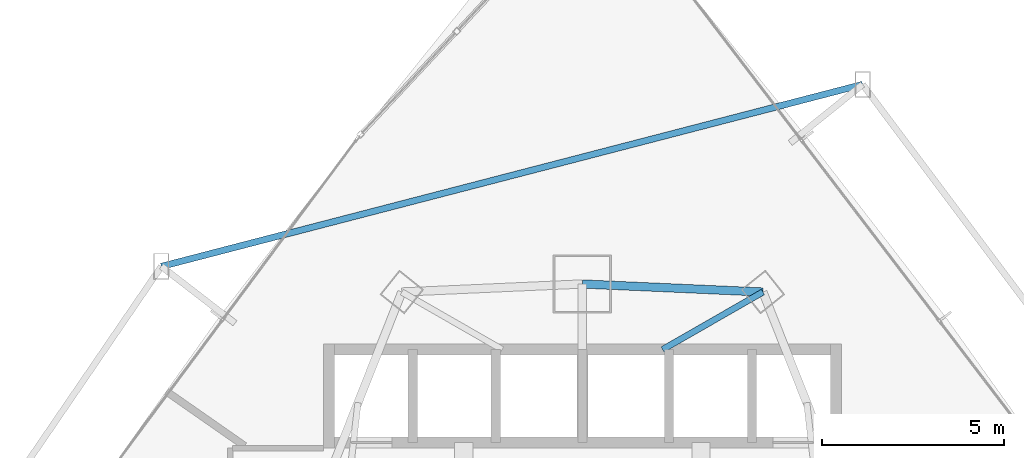
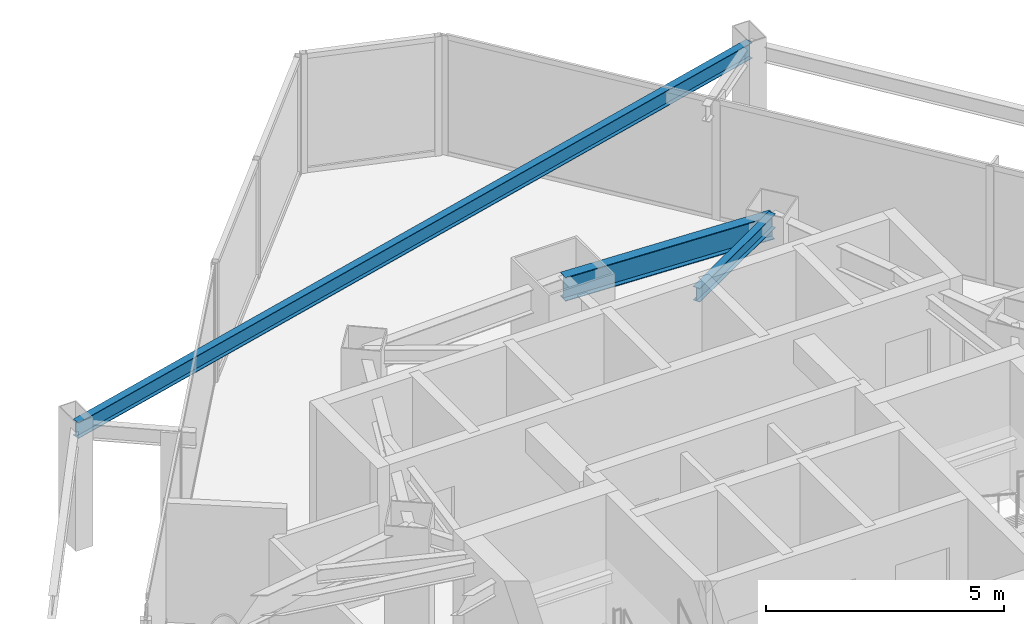
# One storey, part 23 of 34: 3 beams.
"""IFC4 building model written with IfcOpenShell, lengths in metres."""

from ifc_helpers import new_model, si_unit, direction, frame, origin, origin_2d, place, context, subcontext, project, spatial, i_section, extrude, material, material_profile, profile_set, type_object, element, save


model = new_model("IFC4")

# Units and contexts
model_context = context("Model", 3, precision=1e-05, world=origin(), true_north=direction((0.0, 1.0)))
body_context = subcontext(model_context, "Body", "Model", "MODEL_VIEW")
ifc_project = project(units=[si_unit("LENGTHUNIT", "METRE"), si_unit("AREAUNIT", "SQUARE_METRE"), si_unit("VOLUMEUNIT", "CUBIC_METRE"), si_unit("PLANEANGLEUNIT", "RADIAN"), si_unit("MASSUNIT", "GRAM", prefix="KILO")], contexts=[model_context])

# Site, building, storey
site_placement = place(None, origin())
site = spatial("IfcSite", under=ifc_project, at=site_placement, CompositionType="ELEMENT")
building_placement = place(site_placement, origin())
building = spatial("IfcBuilding", under=site, at=building_placement, Name="Orvanel Arch Residences", CompositionType="ELEMENT")
storey_placement = place(building_placement, frame((0.0, 0.0, 64.25)))
storey = spatial("IfcBuildingStorey", under=building, at=storey_placement, Name="L17", CompositionType="ELEMENT", Elevation=64.25)

# Beams
ifc_material = material(Name="Structural steel AS/NZS 3679.1 Grade 300 (300 MPa)", Category="steel")
ifc_material_profile_1 = material_profile(ifc_material, i_section(OverallWidth=0.1708984375, OverallDepth=0.35595703125, WebThickness=0.00732421875, FlangeThickness=0.011474609375, at=origin_2d()), Name="360UB50.7")
ifc_profile_set_1 = profile_set([ifc_material_profile_1], Name="Structural steel AS/NZS 3679.1 Grade 300 (300 MPa)")
beam_type_1 = type_object("IfcBeamType", Name="BJ-360UB", PredefinedType="JOIST", material=ifc_profile_set_1)
beam_1_placement = place(storey_placement, frame((35.199951171875, 39.60009765625, 2.882080078125), z_axis=(0.86736513383, 0.497672306458, 0.0), x_axis=(-0.497672306458, 0.86736513383, 0.0)))
element("IfcBeam", 1, at=beam_1_placement, inside=storey, type_object=beam_type_1, Name="L17 MNE Wing Floor Joist", PredefinedType="JOIST", context=body_context, shape_type="SweptSolid", body=[
    extrude(i_section(OverallWidth=0.1708984375, OverallDepth=0.35595703125, WebThickness=0.00732421875, FlangeThickness=0.011474609375, at=origin_2d()), origin(), (0.0, 0.0, 1.0), 3.17041015625),
])
ifc_material_profile_2 = material_profile(ifc_material, i_section(OverallWidth=0.177978515625, OverallDepth=0.406005859375, WebThickness=0.0078125, FlangeThickness=0.0126953125, at=origin_2d()), Name="410UB59.7")
ifc_profile_set_2 = profile_set([ifc_material_profile_2], Name="Structural steel AS/NZS 3679.1 Grade 300 (300 MPa)")
beam_type_2 = type_object("IfcBeamType", Name="OB-410UB-EXT", PredefinedType="SPANDREL", material=ifc_profile_set_2)
beam_2_placement = place(storey_placement, frame((40.68310546875, 46.867919921875, 2.85693359375), z_axis=(-0.967950984226, -0.251139188768, 0.0), x_axis=(0.251139188768, -0.967950984226, 0.0)))
element("IfcBeam", 2, at=beam_2_placement, inside=storey, type_object=beam_type_2, Name="L17 Outer Perimeter Floor Ring Beam 12", PredefinedType="SPANDREL", context=body_context, shape_type="SweptSolid", body=[
    extrude(i_section(OverallWidth=0.177978515625, OverallDepth=0.406005859375, WebThickness=0.0078125, FlangeThickness=0.0126953125, at=origin_2d()), origin(), (0.0, 0.0, 1.0), 19.861572265625),
])
ifc_material_profile_3 = material_profile(ifc_material, i_section(OverallWidth=0.22900390625, OverallDepth=0.612060546875, WebThickness=0.011962890625, FlangeThickness=0.01953125, at=origin_2d()), Name="610UB125")
ifc_profile_set_3 = profile_set([ifc_material_profile_3], Name="Structural steel AS/NZS 3679.1 Grade 300 (300 MPa)")
beam_type_3 = type_object("IfcBeamType", Name="SP-610UB", PredefinedType="SPANDREL", material=ifc_profile_set_3)
beam_3_placement = place(storey_placement, frame((37.949951171875, 41.177978515625, 2.75390625), z_axis=(-0.999014049296, 0.044395149614, 0.0), x_axis=(-0.044395149614, -0.999014049296, 0.0)))
element("IfcBeam", 3, at=beam_3_placement, inside=storey, type_object=beam_type_3, Name="L17 Perimeter Spandrel Beam 16", PredefinedType="SPANDREL", context=body_context, shape_type="SweptSolid", body=[
    extrude(i_section(OverallWidth=0.22900390625, OverallDepth=0.612060546875, WebThickness=0.011962890625, FlangeThickness=0.01953125, at=origin_2d()), origin(), (0.0, 0.0, 1.0), 4.954833984375),
])

save(model, "model.ifc")
